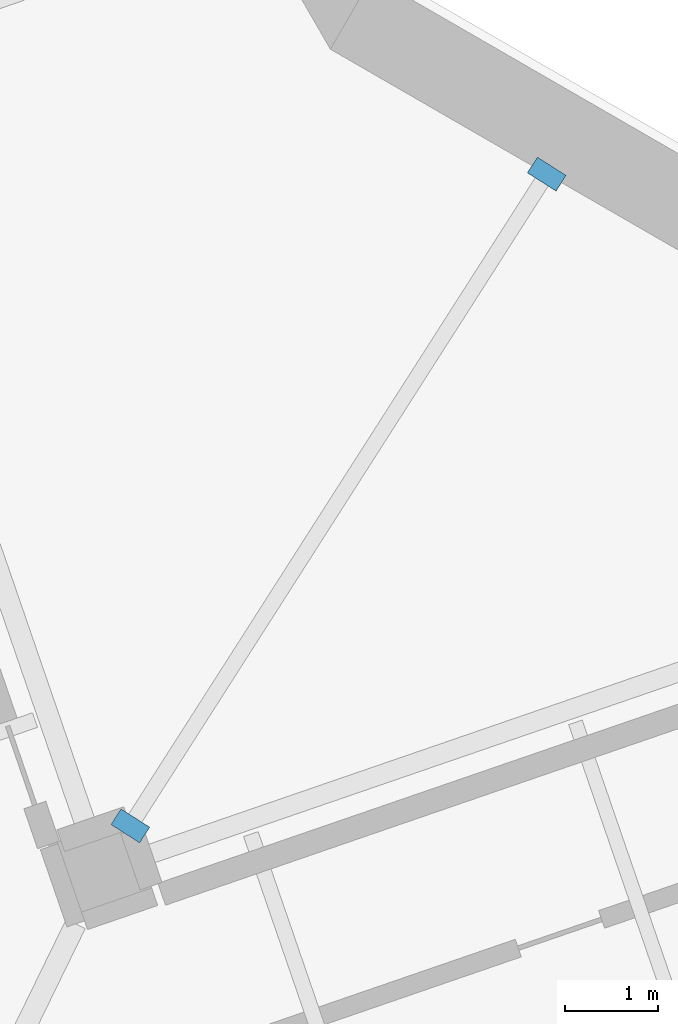
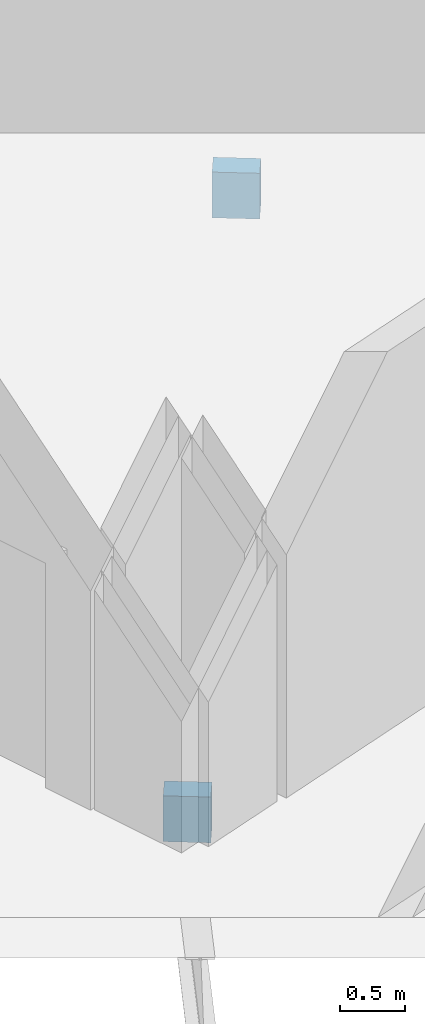
# One storey, part 11 of 19: 2 discrete accessories.
"""IFC4 building model written with IfcOpenShell, lengths in metres."""

import ifcopenshell
import ifcopenshell.guid

model = None  # the IFC model being written
_history = None  # IfcOwnerHistory: only IFC2X3 demands one
_inside = {}  # id of a spatial element -> (the spatial element, [elements in it])
_under = {}  # id of a project, library or spatial element -> (it, [spatial elements below it])
_declared = {}  # id of a project -> (the project, [libraries it declares])
_typed = {}  # id of a type object -> (the type object, [elements of that type])
_made_of = {}  # id of a material, layer set ... -> (it, [elements and type objects made of it])


def new_model(schema):
    """Start an empty IFC model of exactly this schema.

    Asked for "IFC4X3", IfcOpenShell would pick the latest addendum, in which some entities
    have other attributes; the version numbers below select the first issue.
    IFC2X3 requires an IfcOwnerHistory on every rooted entity: one is made here for all.
    """
    global model, _history
    if schema == "IFC4X3":
        model = ifcopenshell.file(schema_version=(4, 3, 0, 0))
    else:
        model = ifcopenshell.file(schema=schema)
    _inside.clear()
    _under.clear()
    _declared.clear()
    _typed.clear()
    _made_of.clear()
    _history = None
    if model.schema == "IFC2X3":
        org = make("IfcOrganization", Name="unknown")
        user = make(
            "IfcPersonAndOrganization",
            ThePerson=make("IfcPerson", FamilyName="unknown"),
            TheOrganization=org,
        )
        app = make(
            "IfcApplication",
            ApplicationDeveloper=org,
            Version="unknown",
            ApplicationFullName="unknown",
            ApplicationIdentifier="unknown",
        )
        _history = make(
            "IfcOwnerHistory",
            OwningUser=user,
            OwningApplication=app,
            ChangeAction="ADDED",
            CreationDate=0,
        )
    return model


def make(cls, **values):
    """One entity of the class cls with the attributes given. An attribute that is None is left unset."""
    return model.create_entity(
        cls, **{name: value for name, value in values.items() if value is not None}
    )


def rooted(cls, **values):
    """An entity with a GlobalId (a new one), such as an element, a storey or a relation."""
    return make(cls, GlobalId=ifcopenshell.guid.new(), OwnerHistory=_history, **values)


def si_unit(unit_type, name, prefix=None):
    """IfcSIUnit, for example si_unit("LENGTHUNIT", "METRE", prefix="MILLI")."""
    return make("IfcSIUnit", UnitType=unit_type, Prefix=prefix, Name=name)


def assignment(units):
    """IfcUnitAssignment: the units of a project."""
    return None if units is None else make("IfcUnitAssignment", Units=units)


def point(xyz):
    """IfcCartesianPoint."""
    return None if xyz is None else make("IfcCartesianPoint", Coordinates=xyz)


def direction(xyz):
    """IfcDirection."""
    return None if xyz is None else make("IfcDirection", DirectionRatios=xyz)


def frame(location, z_axis=None, x_axis=None):
    """IfcAxis2Placement3D, a coordinate frame: its origin and axes. An axis left out is left unset."""
    return make(
        "IfcAxis2Placement3D",
        Location=point(location),
        Axis=direction(z_axis),
        RefDirection=direction(x_axis),
    )


def origin():
    """The frame at (0, 0, 0) with its axes left unset."""
    return frame((0.0, 0.0, 0.0))


def place(relative_to, where):
    """IfcLocalPlacement: puts the frame where relative to a parent placement (None: the world)."""
    return make(
        "IfcLocalPlacement", PlacementRelTo=relative_to, RelativePlacement=where
    )


def context(
    kind, dimensions, precision=None, world=None, true_north=None, identifier=None
):
    """IfcGeometricRepresentationContext, for example the 3D "Model" context."""
    return make(
        "IfcGeometricRepresentationContext",
        ContextIdentifier=identifier,
        ContextType=kind,
        CoordinateSpaceDimension=dimensions,
        Precision=precision,
        WorldCoordinateSystem=world,
        TrueNorth=true_north,
    )


def subcontext(parent, identifier, kind, view, scale=None):
    """IfcGeometricRepresentationSubContext, for example "Body" below "Model"."""
    return make(
        "IfcGeometricRepresentationSubContext",
        ContextIdentifier=identifier,
        ContextType=kind,
        ParentContext=parent,
        TargetScale=scale,
        TargetView=view,
    )


def project(units=None, contexts=None):
    """IfcProject with its units and contexts."""
    return rooted(
        "IfcProject",
        Name="project",
        RepresentationContexts=contexts,
        UnitsInContext=assignment(units),
    )


def spatial(cls, under=None, at=None, **own):
    """A site, building, storey or space (cls), placed at a placement, below another one or the project."""
    s = rooted(cls, ObjectPlacement=at, **own)
    if under is not None:
        _under.setdefault(under.id(), (under, []))[1].append(s)
    return s


def polyline(points):
    """IfcPolyline through the points."""
    return make("IfcPolyline", Points=[point(p) for p in points])


def outline(outer, holes=None, kind="AREA"):
    """IfcArbitraryClosedProfileDef: a profile drawn as a closed curve; with holes, ...WithVoids."""
    if holes is None:
        return make("IfcArbitraryClosedProfileDef", ProfileType=kind, OuterCurve=outer)
    return make(
        "IfcArbitraryProfileDefWithVoids",
        ProfileType=kind,
        OuterCurve=outer,
        InnerCurves=holes,
    )


def extrude(swept, where, along, depth):
    """IfcExtrudedAreaSolid: the profile swept, set in the frame where, extruded along a direction by depth."""
    return make(
        "IfcExtrudedAreaSolid",
        SweptArea=swept,
        Position=where,
        ExtrudedDirection=direction(along),
        Depth=depth,
    )


def shape(context_of_items, identifier, shape_type, items):
    """IfcShapeRepresentation: the items that make up one representation, for example the "Body"."""
    return make(
        "IfcShapeRepresentation",
        ContextOfItems=context_of_items,
        RepresentationIdentifier=identifier,
        RepresentationType=shape_type,
        Items=items,
    )


def material(Name=None, Category=None):
    """IfcMaterial."""
    return make("IfcMaterial", Name=Name, Category=Category)


def layer(
    of_material, thickness, ventilated=None, Name=None, Category=None, Priority=None
):
    """IfcMaterialLayer: one layer of a wall or slab, of a material (None: an air gap)."""
    return make(
        "IfcMaterialLayer",
        Material=of_material,
        LayerThickness=thickness,
        IsVentilated=ventilated,
        Name=Name,
        Category=Category,
        Priority=Priority,
    )


def layer_set(layers, Name=None):
    """IfcMaterialLayerSet."""
    return make("IfcMaterialLayerSet", MaterialLayers=layers, LayerSetName=Name)


def made_of(thing, what):
    """Note that an element or type object is made of a material, layer set ...; save() writes the relation."""
    if what is not None:
        _made_of.setdefault(what.id(), (what, []))[1].append(thing)
    return thing


def type_object(cls, material=None, **own):
    """A type object (cls), such as IfcWallType, which elements share."""
    return made_of(rooted(cls, **own), material)


def element(
    cls,
    number,
    at=None,
    inside=None,
    cuts=None,
    type_object=None,
    material=None,
    context=None,
    identifier="Body",
    shape_type=None,
    held_by="IfcProductDefinitionShape",
    body=None,
    shapes=None,
    **own,
):
    """One element of the class cls, such as IfcWall. Its Tag is "e" and its number.

    at: its placement. inside: the storey or other place that contains it. cuts: it is an
    opening in that element (IfcRelVoidsElement). A single representation is given by context,
    identifier, shape_type and body (its items); several are given by shapes. held_by: the class
    of the entity that holds the representations. save() writes the other relations.
    """
    e = rooted(cls, Tag="e%d" % number, ObjectPlacement=at, **own)
    if body is not None:
        shapes = [shape(context, identifier, shape_type, body)]
    if shapes is not None:
        e.Representation = make(held_by, Representations=shapes)
    if inside is not None:
        _inside.setdefault(inside.id(), (inside, []))[1].append(e)
    if cuts is not None:
        rooted(
            "IfcRelVoidsElement", RelatingBuildingElement=cuts, RelatedOpeningElement=e
        )
    if type_object is not None:
        _typed.setdefault(type_object.id(), (type_object, []))[1].append(e)
    return made_of(e, material)


def aggregate(whole, parts):
    """IfcRelAggregates: a whole, such as a stair, and the parts it consists of."""
    return rooted("IfcRelAggregates", RelatingObject=whole, RelatedObjects=parts)


def save(model, path):
    """Write the relations noted so far, then the file.

    IfcRelAggregates (storeys below a building ...), IfcRelContainedInSpatialStructure (elements
    in a storey), IfcRelDefinesByType, IfcRelAssociatesMaterial and IfcRelDeclares: one each for
    every whole, place, type object, material and project.
    """
    for whole, parts in _under.values():
        aggregate(whole, parts)
    for where, things in _inside.values():
        rooted(
            "IfcRelContainedInSpatialStructure",
            RelatedElements=things,
            RelatingStructure=where,
        )
    for kind, things in _typed.values():
        rooted("IfcRelDefinesByType", RelatedObjects=things, RelatingType=kind)
    for what, things in _made_of.values():
        rooted("IfcRelAssociatesMaterial", RelatedObjects=things, RelatingMaterial=what)
    for by, libraries in _declared.values():
        rooted("IfcRelDeclares", RelatingContext=by, RelatedDefinitions=libraries)
    model.write(path)


model = new_model("IFC4")

# Units and contexts
model_context = context("Model", 3, precision=1e-05, world=origin(), true_north=direction((0.0, 1.0)))
body_context = subcontext(model_context, "Body", "Model", "MODEL_VIEW")
ifc_project = project(units=[si_unit("LENGTHUNIT", "METRE"), si_unit("AREAUNIT", "SQUARE_METRE"), si_unit("VOLUMEUNIT", "CUBIC_METRE"), si_unit("PLANEANGLEUNIT", "RADIAN"), si_unit("MASSUNIT", "GRAM", prefix="KILO")], contexts=[model_context])

# Site, building, storey
site_placement = place(None, origin())
site = spatial("IfcSite", under=ifc_project, at=site_placement, CompositionType="ELEMENT")
building_placement = place(site_placement, origin())
building = spatial("IfcBuilding", under=site, at=building_placement, Name="Cantera Rosa Tower", CompositionType="ELEMENT")
storey_placement = place(building_placement, frame((0.0, 0.0, 111.699951171875)))
storey = spatial("IfcBuildingStorey", under=building, at=storey_placement, Name="L22", CompositionType="ELEMENT", Elevation=111.699951171875)

# Discrete accessories
ifc_material = material(Name="Steel ASTM A992 (Fy 345 MPa)", Category="steel")
ifc_layer = layer(ifc_material, 0.0400390625)
ifc_layer_set = layer_set([ifc_layer], Name="STEEL BEARING PLATE 40")
discrete_accessory_type = type_object("IfcDiscreteAccessoryType", Name="STEEL BEARING PLATE 40", PredefinedType="ANCHORPLATE", material=ifc_layer_set)
discrete_accessory_1_placement = place(storey_placement, frame((0.0, 0.0, -0.72802734375)))
element("IfcDiscreteAccessory", 1, at=discrete_accessory_1_placement, inside=storey, type_object=discrete_accessory_type, Name="BEARING PLATE PG-Z2-01 end 1 L22", PredefinedType="ANCHORPLATE", context=body_context, shape_type="SweptSolid", body=[
    extrude(outline(polyline([(-11.09619140625, -17.02783203125), (-11.203857421875, -17.1962890625), (-10.8955078125, -17.393310546875), (-10.787841796875, -17.224853515625), (-11.09619140625, -17.02783203125)])), origin(), (0.0, 0.0, 1.0), 0.427978515625),
])
discrete_accessory_2_placement = place(storey_placement, frame((0.0, 0.0, -0.72802734375)))
element("IfcDiscreteAccessory", 2, at=discrete_accessory_2_placement, inside=storey, type_object=discrete_accessory_type, Name="BEARING PLATE PG-Z2-01 end 2 L22", PredefinedType="ANCHORPLATE", context=body_context, shape_type="SweptSolid", body=[
    extrude(outline(polyline([(-6.40673828125, -10.367919921875), (-6.29931640625, -10.19921875), (-6.607666015625, -10.002197265625), (-6.71533203125, -10.170654296875), (-6.40673828125, -10.367919921875)])), origin(), (0.0, 0.0, 1.0), 0.427978515625),
])

save(model, "model.ifc")
